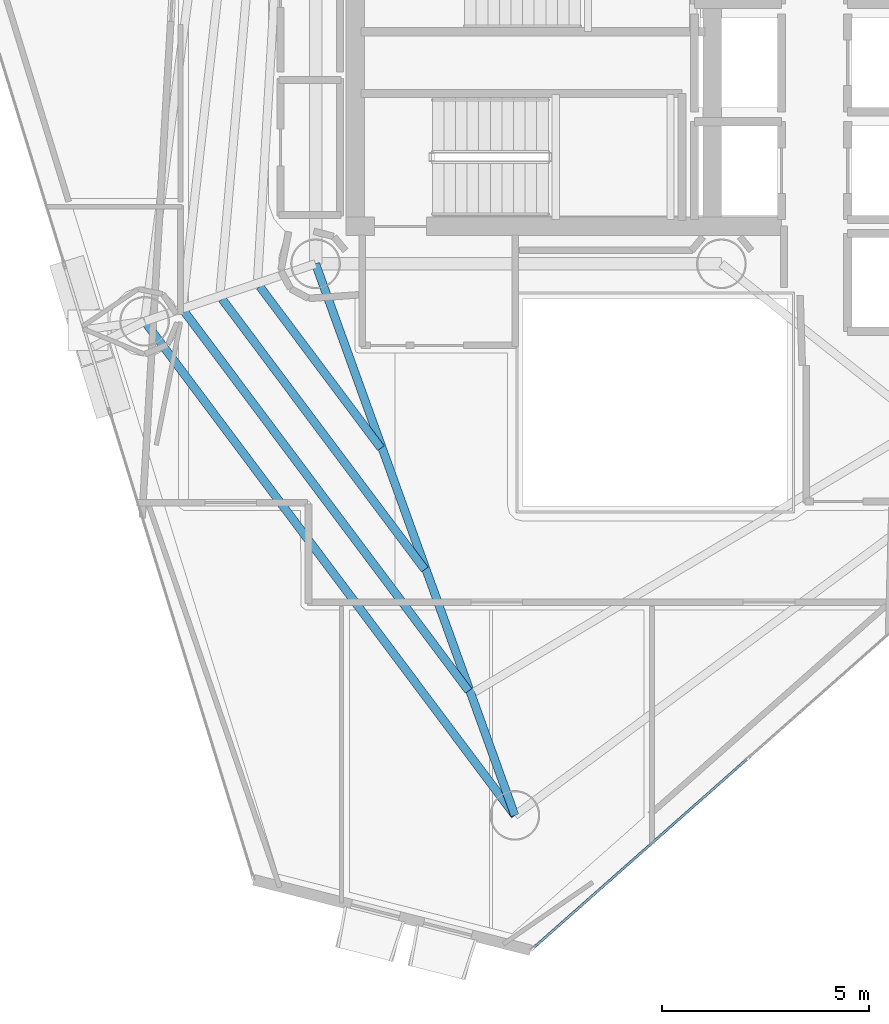
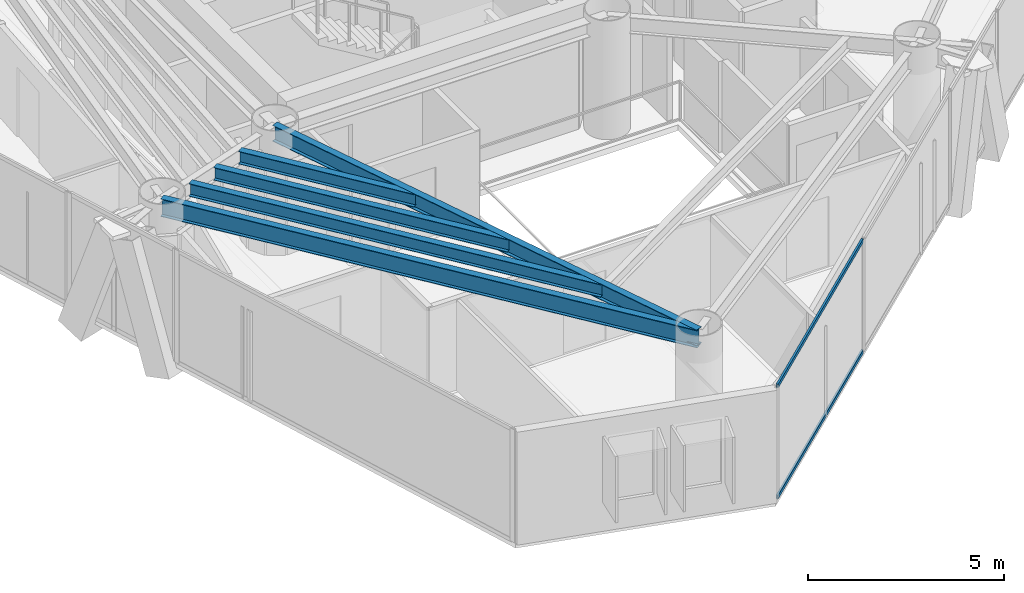
# One storey, part 4 of 23: 5 beams, 2 members, 1 element without a shape of its own.
"""IFC4 building model written with IfcOpenShell, lengths in metres."""

from ifc_helpers import new_model, si_unit, direction, frame, origin, origin_2d, place, context, subcontext, project, spatial, hollow_rectangle, i_section, extrude, material, layer, layer_set, material_profile, profile_set, type_object, element, aggregate, save


model = new_model("IFC4")

# Units and contexts
model_context = context("Model", 3, precision=1e-05, world=origin(), true_north=direction((0.0, 1.0)))
body_context = subcontext(model_context, "Body", "Model", "MODEL_VIEW")
ifc_project = project(units=[si_unit("LENGTHUNIT", "METRE"), si_unit("AREAUNIT", "SQUARE_METRE"), si_unit("VOLUMEUNIT", "CUBIC_METRE"), si_unit("PLANEANGLEUNIT", "RADIAN"), si_unit("MASSUNIT", "GRAM", prefix="KILO")], contexts=[model_context])

# Site, building, storey
site_placement = place(None, origin())
site = spatial("IfcSite", under=ifc_project, at=site_placement, CompositionType="ELEMENT")
building_placement = place(site_placement, origin())
building = spatial("IfcBuilding", under=site, at=building_placement, Name="Qianvela Tower", CompositionType="ELEMENT")
storey_placement = place(building_placement, frame((0.0, 0.0, 218.800048828125)))
storey = spatial("IfcBuildingStorey", under=building, at=storey_placement, Name="L56", CompositionType="ELEMENT", Elevation=218.800048828125)

# Beams
ifc_material_1 = material(Name="Steel Q355B", Category="steel")
ifc_material_profile_1 = material_profile(ifc_material_1, i_section(OverallWidth=0.199951171875, OverallDepth=0.39990234375, WebThickness=0.008056640625, FlangeThickness=0.012939453125, at=origin_2d()), Name="HN400x200x8x13")
ifc_profile_set_1 = profile_set([ifc_material_profile_1], Name="Steel Q355B")
beam_type_1 = type_object("IfcBeamType", Name="BM-HN400-JOIST", PredefinedType="JOIST", material=ifc_profile_set_1)
beam_1_placement = place(storey_placement, frame((27.254150390625, 23.300537109375, 3.31787109375), z_axis=(0.599735620965, -0.800198216035, 0.0), x_axis=(0.800198216035, 0.599735620965, 0.0)))
element("IfcBeam", 1, at=beam_1_placement, inside=storey, type_object=beam_type_1, Name="L56 Secondary Composite Floor Joist 4.1", PredefinedType="JOIST", context=body_context, shape_type="SweptSolid", body=[
    extrude(i_section(OverallWidth=0.199951171875, OverallDepth=0.39990234375, WebThickness=0.008056640625, FlangeThickness=0.012939453125, at=origin_2d()), origin(), (0.0, 0.0, 1.0), 4.87646484375),
])
beam_2_placement = place(storey_placement, frame((26.345947265625, 22.994873046875, 3.31787109375), z_axis=(0.59975572356, -0.800183149071, 0.0), x_axis=(0.800183149071, 0.59975572356, 0.0)))
element("IfcBeam", 2, at=beam_2_placement, inside=storey, type_object=beam_type_1, Name="L56 Secondary Composite Floor Joist 4.2", PredefinedType="JOIST", context=body_context, shape_type="SweptSolid", body=[
    extrude(i_section(OverallWidth=0.199951171875, OverallDepth=0.39990234375, WebThickness=0.008056640625, FlangeThickness=0.012939453125, at=origin_2d()), origin(), (0.0, 0.0, 1.0), 8.156494140625),
])
beam_3_placement = place(storey_placement, frame((25.437744140625, 22.68896484375, 3.31787109375), z_axis=(0.599760871552, -0.800179290507, 0.0), x_axis=(0.800179290507, 0.599760871552, 0.0)))
element("IfcBeam", 3, at=beam_3_placement, inside=storey, type_object=beam_type_1, Name="L56 Secondary Composite Floor Joist 4.3", PredefinedType="JOIST", context=body_context, shape_type="SweptSolid", body=[
    extrude(i_section(OverallWidth=0.199951171875, OverallDepth=0.39990234375, WebThickness=0.008056640625, FlangeThickness=0.012939453125, at=origin_2d()), origin(), (0.0, 0.0, 1.0), 11.43603515625),
])
ifc_material_2 = material(Name="Steel Q355B", Category="steel")
ifc_material_profile_2 = material_profile(ifc_material_2, i_section(OverallWidth=0.199951171875, OverallDepth=0.5, WebThickness=0.010009765625, FlangeThickness=0.01611328125, at=origin_2d()), Name="HN500x200x10x16")
ifc_profile_set_2 = profile_set([ifc_material_profile_2], Name="Steel Q355B")
beam_type_2 = type_object("IfcBeamType", Name="BM-HN500-GIRD", PredefinedType="BEAM", material=ifc_profile_set_2)
beam_4_placement = place(storey_placement, frame((28.60009765625, 23.85009765625, 3.26806640625), z_axis=(0.339851607149, -0.940479072132, 0.0), x_axis=(0.940479072132, 0.339851607149, 0.0)))
element("IfcBeam", 4, at=beam_4_placement, inside=storey, type_object=beam_type_2, Name="L56 Radial Primary Floor Girder 5", PredefinedType="BEAM", context=body_context, shape_type="SweptSolid", body=[
    extrude(i_section(OverallWidth=0.199951171875, OverallDepth=0.5, WebThickness=0.010009765625, FlangeThickness=0.01611328125, at=origin_2d()), origin(), (0.0, 0.0, 1.0), 14.162109375),
])
ifc_material_3 = material(Name="Steel Q355B", Category="steel")
ifc_material_profile_3 = material_profile(ifc_material_3, i_section(OverallWidth=0.199951171875, OverallDepth=0.550048828125, WebThickness=0.010009765625, FlangeThickness=0.01611328125, at=origin_2d()), Name="HN550x200x10x16")
ifc_profile_set_3 = profile_set([ifc_material_profile_3], Name="Steel Q355B")
beam_type_3 = type_object("IfcBeamType", Name="BM-HN550-GIRD", PredefinedType="BEAM", material=ifc_profile_set_3)
beam_5_placement = place(storey_placement, frame((24.471923828125, 22.4599609375, 3.242919921875), z_axis=(0.599761529533, -0.800178797327, 0.0), x_axis=(0.800178797327, 0.599761529533, 0.0)))
element("IfcBeam", 5, at=beam_5_placement, inside=storey, type_object=beam_type_3, Name="L56 Perimeter Ring Spandrel Girder 4", PredefinedType="BEAM", context=body_context, shape_type="SweptSolid", body=[
    extrude(i_section(OverallWidth=0.199951171875, OverallDepth=0.550048828125, WebThickness=0.010009765625, FlangeThickness=0.01611328125, at=origin_2d()), origin(), (0.0, 0.0, 1.0), 14.907958984375),
])

# Curtain wall, members
ifc_material_4 = material(Name="Anodised Architectural Aluminium and Low-E Glass", Category="aluminium")
ifc_layer = layer(ifc_material_4, 0.159912109375)
ifc_layer_set = layer_set([ifc_layer], Name="Anodised Architectural Aluminium and Low-E Glass")
curtain_wall_type = type_object("IfcCurtainWallType", Name="CW-COLIV-Z56", PredefinedType="USERDEFINED", material=ifc_layer_set)
curtain_wall_placement = place(storey_placement, origin())
curtain_wall = element("IfcCurtainWall", 6, at=curtain_wall_placement, inside=storey, type_object=curtain_wall_type, Name="L56 CW-COLIV-Z56 Curtain Wall 06A", ObjectType="CURTAIN_WALL_SYSTEM", PredefinedType="USERDEFINED")
ifc_material_5 = material(Name="Anodised Architectural Aluminium 6063-T6", Category="aluminium")
ifc_material_profile_4 = material_profile(ifc_material_5, hollow_rectangle(XDim=0.06005859375, YDim=0.114990234375, WallThickness=0.00390625, at=origin_2d()), Name="ALU-TRAN-60x115")
ifc_profile_set_4 = profile_set([ifc_material_profile_4], Name="Anodised Architectural Aluminium 6063-T6")
member_type = type_object("IfcMemberType", Name="CW-COLIV-Z56-TRAN", PredefinedType="USERDEFINED", material=ifc_profile_set_4)
member_1_placement = place(storey_placement, frame((33.882080078125, 7.349365234375, 0.030029296875), z_axis=(0.749265310042, 0.662269956413, 0.0), x_axis=(-0.662269956413, 0.749265310042, 0.0)))
member_1 = element("IfcMember", 7, at=member_1_placement, type_object=member_type, Name="CW-5 transom 1.1", ObjectType="TRANSOM", PredefinedType="USERDEFINED", context=body_context, shape_type="SweptSolid", body=[
    extrude(hollow_rectangle(XDim=0.06005859375, YDim=0.114990234375, WallThickness=0.00390625, at=origin_2d()), origin(), (0.0, 0.0, 1.0), 6.847412109375),
])
member_2_placement = place(storey_placement, frame((33.882080078125, 7.349365234375, 3.489990234375), z_axis=(0.749265310042, 0.662269956413, 0.0), x_axis=(-0.662269956413, 0.749265310042, 0.0)))
member_2 = element("IfcMember", 8, at=member_2_placement, type_object=member_type, Name="CW-5 transom 1.2", ObjectType="TRANSOM", PredefinedType="USERDEFINED", context=body_context, shape_type="SweptSolid", body=[
    extrude(hollow_rectangle(XDim=0.06005859375, YDim=0.114990234375, WallThickness=0.00390625, at=origin_2d()), origin(), (0.0, 0.0, 1.0), 6.847412109375),
])
aggregate(curtain_wall, [member_1, member_2])

save(model, "model.ifc")
